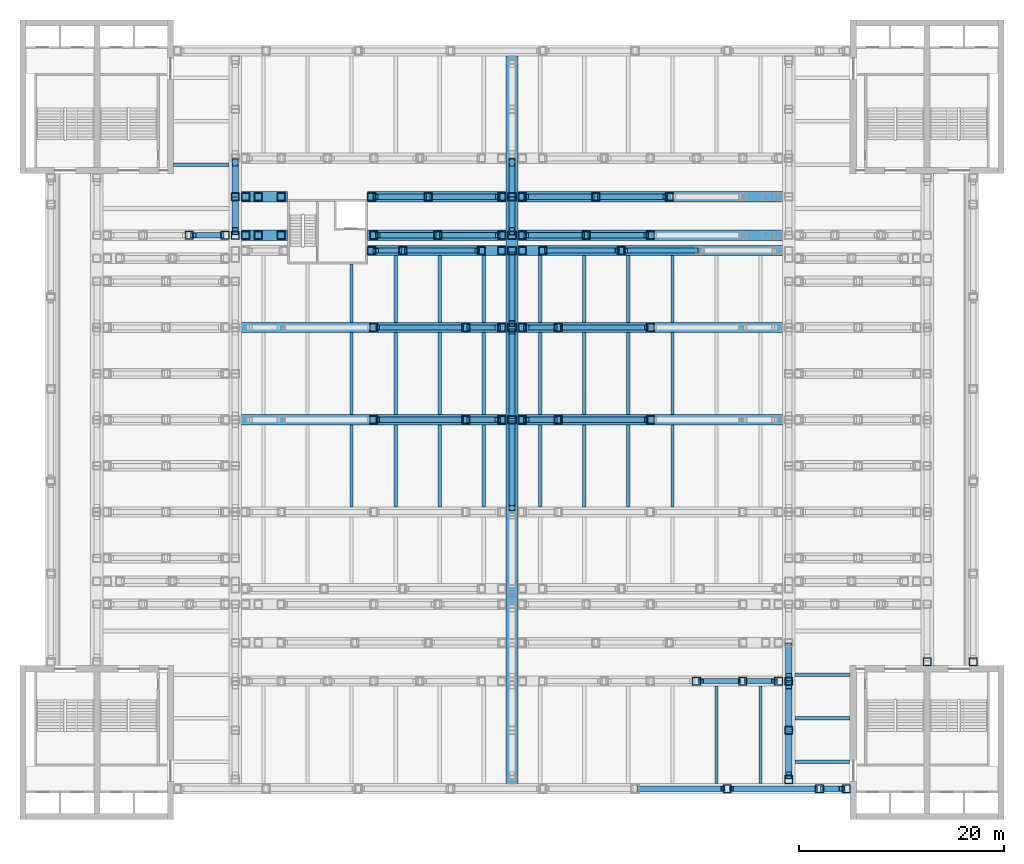
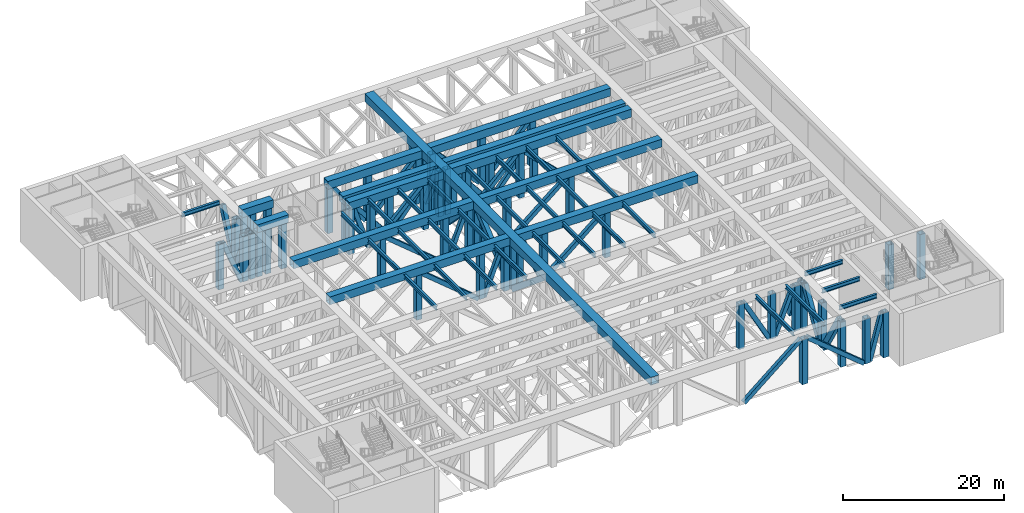
# One storey, part 3 of 20: 106 members, 30 beams.
"""IFC4 building model written with IfcOpenShell, lengths in metres."""

import ifcopenshell
import ifcopenshell.guid

model = None  # the IFC model being written
_history = None  # IfcOwnerHistory: only IFC2X3 demands one
_inside = {}  # id of a spatial element -> (the spatial element, [elements in it])
_under = {}  # id of a project, library or spatial element -> (it, [spatial elements below it])
_declared = {}  # id of a project -> (the project, [libraries it declares])
_typed = {}  # id of a type object -> (the type object, [elements of that type])
_made_of = {}  # id of a material, layer set ... -> (it, [elements and type objects made of it])


def new_model(schema):
    """Start an empty IFC model of exactly this schema.

    Asked for "IFC4X3", IfcOpenShell would pick the latest addendum, in which some entities
    have other attributes; the version numbers below select the first issue.
    IFC2X3 requires an IfcOwnerHistory on every rooted entity: one is made here for all.
    """
    global model, _history
    if schema == "IFC4X3":
        model = ifcopenshell.file(schema_version=(4, 3, 0, 0))
    else:
        model = ifcopenshell.file(schema=schema)
    _inside.clear()
    _under.clear()
    _declared.clear()
    _typed.clear()
    _made_of.clear()
    _history = None
    if model.schema == "IFC2X3":
        org = make("IfcOrganization", Name="unknown")
        user = make(
            "IfcPersonAndOrganization",
            ThePerson=make("IfcPerson", FamilyName="unknown"),
            TheOrganization=org,
        )
        app = make(
            "IfcApplication",
            ApplicationDeveloper=org,
            Version="unknown",
            ApplicationFullName="unknown",
            ApplicationIdentifier="unknown",
        )
        _history = make(
            "IfcOwnerHistory",
            OwningUser=user,
            OwningApplication=app,
            ChangeAction="ADDED",
            CreationDate=0,
        )
    return model


def make(cls, **values):
    """One entity of the class cls with the attributes given. An attribute that is None is left unset."""
    return model.create_entity(
        cls, **{name: value for name, value in values.items() if value is not None}
    )


def rooted(cls, **values):
    """An entity with a GlobalId (a new one), such as an element, a storey or a relation."""
    return make(cls, GlobalId=ifcopenshell.guid.new(), OwnerHistory=_history, **values)


def si_unit(unit_type, name, prefix=None):
    """IfcSIUnit, for example si_unit("LENGTHUNIT", "METRE", prefix="MILLI")."""
    return make("IfcSIUnit", UnitType=unit_type, Prefix=prefix, Name=name)


def assignment(units):
    """IfcUnitAssignment: the units of a project."""
    return None if units is None else make("IfcUnitAssignment", Units=units)


def point(xyz):
    """IfcCartesianPoint."""
    return None if xyz is None else make("IfcCartesianPoint", Coordinates=xyz)


def direction(xyz):
    """IfcDirection."""
    return None if xyz is None else make("IfcDirection", DirectionRatios=xyz)


def frame(location, z_axis=None, x_axis=None):
    """IfcAxis2Placement3D, a coordinate frame: its origin and axes. An axis left out is left unset."""
    return make(
        "IfcAxis2Placement3D",
        Location=point(location),
        Axis=direction(z_axis),
        RefDirection=direction(x_axis),
    )


def frame_2d(location, x_axis=None):
    """IfcAxis2Placement2D, a coordinate frame in the plane: its origin and x axis."""
    return make(
        "IfcAxis2Placement2D", Location=point(location), RefDirection=direction(x_axis)
    )


def origin():
    """The frame at (0, 0, 0) with its axes left unset."""
    return frame((0.0, 0.0, 0.0))


def origin_2d():
    """The frame at (0, 0) in the plane with its x axis left unset."""
    return frame_2d((0.0, 0.0))


def place(relative_to, where):
    """IfcLocalPlacement: puts the frame where relative to a parent placement (None: the world)."""
    return make(
        "IfcLocalPlacement", PlacementRelTo=relative_to, RelativePlacement=where
    )


def context(
    kind, dimensions, precision=None, world=None, true_north=None, identifier=None
):
    """IfcGeometricRepresentationContext, for example the 3D "Model" context."""
    return make(
        "IfcGeometricRepresentationContext",
        ContextIdentifier=identifier,
        ContextType=kind,
        CoordinateSpaceDimension=dimensions,
        Precision=precision,
        WorldCoordinateSystem=world,
        TrueNorth=true_north,
    )


def subcontext(parent, identifier, kind, view, scale=None):
    """IfcGeometricRepresentationSubContext, for example "Body" below "Model"."""
    return make(
        "IfcGeometricRepresentationSubContext",
        ContextIdentifier=identifier,
        ContextType=kind,
        ParentContext=parent,
        TargetScale=scale,
        TargetView=view,
    )


def project(units=None, contexts=None):
    """IfcProject with its units and contexts."""
    return rooted(
        "IfcProject",
        Name="project",
        RepresentationContexts=contexts,
        UnitsInContext=assignment(units),
    )


def spatial(cls, under=None, at=None, **own):
    """A site, building, storey or space (cls), placed at a placement, below another one or the project."""
    s = rooted(cls, ObjectPlacement=at, **own)
    if under is not None:
        _under.setdefault(under.id(), (under, []))[1].append(s)
    return s


def profile(cls, at=None, kind="AREA", **sizes):
    """A parametric profile (cls). Its sizes go by their IFC names, for example OverallWidth=200.0."""
    return make(cls, ProfileType=kind, Position=at, **sizes)


def hollow_rectangle(**sizes):
    """IfcRectangleHollowProfileDef."""
    return profile("IfcRectangleHollowProfileDef", **sizes)


def i_section(**sizes):
    """IfcIShapeProfileDef."""
    return profile("IfcIShapeProfileDef", **sizes)


def extrude(swept, where, along, depth):
    """IfcExtrudedAreaSolid: the profile swept, set in the frame where, extruded along a direction by depth."""
    return make(
        "IfcExtrudedAreaSolid",
        SweptArea=swept,
        Position=where,
        ExtrudedDirection=direction(along),
        Depth=depth,
    )


def shape(context_of_items, identifier, shape_type, items):
    """IfcShapeRepresentation: the items that make up one representation, for example the "Body"."""
    return make(
        "IfcShapeRepresentation",
        ContextOfItems=context_of_items,
        RepresentationIdentifier=identifier,
        RepresentationType=shape_type,
        Items=items,
    )


def material(Name=None, Category=None):
    """IfcMaterial."""
    return make("IfcMaterial", Name=Name, Category=Category)


def material_profile(
    of_material, cross_section, Name=None, Category=None, Priority=None
):
    """IfcMaterialProfile: a cross section and its material."""
    return make(
        "IfcMaterialProfile",
        Name=Name,
        Material=of_material,
        Profile=cross_section,
        Priority=Priority,
        Category=Category,
    )


def profile_set(profiles, Name=None, composite=None):
    """IfcMaterialProfileSet."""
    return make(
        "IfcMaterialProfileSet",
        Name=Name,
        MaterialProfiles=profiles,
        CompositeProfile=composite,
    )


def made_of(thing, what):
    """Note that an element or type object is made of a material, layer set ...; save() writes the relation."""
    if what is not None:
        _made_of.setdefault(what.id(), (what, []))[1].append(thing)
    return thing


def type_object(cls, material=None, **own):
    """A type object (cls), such as IfcWallType, which elements share."""
    return made_of(rooted(cls, **own), material)


def element(
    cls,
    number,
    at=None,
    inside=None,
    cuts=None,
    type_object=None,
    material=None,
    context=None,
    identifier="Body",
    shape_type=None,
    held_by="IfcProductDefinitionShape",
    body=None,
    shapes=None,
    **own,
):
    """One element of the class cls, such as IfcWall. Its Tag is "e" and its number.

    at: its placement. inside: the storey or other place that contains it. cuts: it is an
    opening in that element (IfcRelVoidsElement). A single representation is given by context,
    identifier, shape_type and body (its items); several are given by shapes. held_by: the class
    of the entity that holds the representations. save() writes the other relations.
    """
    e = rooted(cls, Tag="e%d" % number, ObjectPlacement=at, **own)
    if body is not None:
        shapes = [shape(context, identifier, shape_type, body)]
    if shapes is not None:
        e.Representation = make(held_by, Representations=shapes)
    if inside is not None:
        _inside.setdefault(inside.id(), (inside, []))[1].append(e)
    if cuts is not None:
        rooted(
            "IfcRelVoidsElement", RelatingBuildingElement=cuts, RelatedOpeningElement=e
        )
    if type_object is not None:
        _typed.setdefault(type_object.id(), (type_object, []))[1].append(e)
    return made_of(e, material)


def aggregate(whole, parts):
    """IfcRelAggregates: a whole, such as a stair, and the parts it consists of."""
    return rooted("IfcRelAggregates", RelatingObject=whole, RelatedObjects=parts)


def save(model, path):
    """Write the relations noted so far, then the file.

    IfcRelAggregates (storeys below a building ...), IfcRelContainedInSpatialStructure (elements
    in a storey), IfcRelDefinesByType, IfcRelAssociatesMaterial and IfcRelDeclares: one each for
    every whole, place, type object, material and project.
    """
    for whole, parts in _under.values():
        aggregate(whole, parts)
    for where, things in _inside.values():
        rooted(
            "IfcRelContainedInSpatialStructure",
            RelatedElements=things,
            RelatingStructure=where,
        )
    for kind, things in _typed.values():
        rooted("IfcRelDefinesByType", RelatedObjects=things, RelatingType=kind)
    for what, things in _made_of.values():
        rooted("IfcRelAssociatesMaterial", RelatedObjects=things, RelatingMaterial=what)
    for by, libraries in _declared.values():
        rooted("IfcRelDeclares", RelatingContext=by, RelatedDefinitions=libraries)
    model.write(path)


model = new_model("IFC4")

# Units and contexts
model_context = context("Model", 3, precision=1e-05, world=origin(), true_north=direction((0.0, 1.0)))
body_context = subcontext(model_context, "Body", "Model", "MODEL_VIEW")
ifc_project = project(units=[si_unit("LENGTHUNIT", "METRE"), si_unit("AREAUNIT", "SQUARE_METRE"), si_unit("VOLUMEUNIT", "CUBIC_METRE"), si_unit("PLANEANGLEUNIT", "RADIAN"), si_unit("MASSUNIT", "GRAM", prefix="KILO")], contexts=[model_context])

# Site, building, storey
site_placement = place(None, origin())
site = spatial("IfcSite", under=ifc_project, at=site_placement, CompositionType="ELEMENT")
building_placement = place(site_placement, origin())
building = spatial("IfcBuilding", under=site, at=building_placement, Name="Corbelhall Arena Tower", CompositionType="ELEMENT")
storey_placement = place(building_placement, frame((0.0, 0.0, 44.0)))
storey = spatial("IfcBuildingStorey", under=building, at=storey_placement, Name="L06", CompositionType="ELEMENT", Elevation=44.0)

# Beams
ifc_material_1 = material(Name="Steel ASTM A992 Gr50", Category="steel")
ifc_material_profile_1 = material_profile(ifc_material_1, i_section(OverallWidth=0.323974609375, OverallDepth=0.611083984375, WebThickness=0.0126953125, FlangeThickness=0.01904296875, at=origin_2d()))
ifc_profile_set_1 = profile_set([ifc_material_profile_1], Name="Steel ASTM A992 Gr50")
beam_type = type_object("IfcBeamType", Name="PO-BEAM-W24X104", PredefinedType="BEAM", material=ifc_profile_set_1)
beam_1_placement = place(storey_placement, frame((-33.0, 24.875, 7.39453125), z_axis=(1.0, 0.0, 0.0), x_axis=(0.0, 1.0, 0.0)))
element("IfcBeam", 1, at=beam_1_placement, inside=storey, type_object=beam_type, Name="DECK BEAM MID 13.2", PredefinedType="BEAM", context=body_context, shape_type="SweptSolid", body=[
    extrude(i_section(OverallWidth=0.323974609375, OverallDepth=0.611083984375, WebThickness=0.0126953125, FlangeThickness=0.01904296875, at=origin_2d()), origin(), (0.0, 0.0, 1.0), 5.39990234375),
])
for number, where, z_axis, x_axis, name in (
    (2, (-15.64990234375, -8.5, 7.39453125), (0.0, 1.0, 0.0), (-1.0, 0.0, 0.0), "DECK BEAM MID 22.3"),
    (3, (-11.35009765625, -8.5, 7.39453125), (0.0, 1.0, 0.0), (-1.0, 0.0, 0.0), "DECK BEAM MID 22.4"),
    (4, (-7.050048828125, -8.5, 7.39453125), (0.0, 1.0, 0.0), (-1.0, 0.0, 0.0), "DECK BEAM MID 22.5"),
    (5, (-2.75, -8.5, 7.39453125), (0.0, 1.0, 0.0), (-1.0, 0.0, 0.0), "DECK BEAM MID 22.6"),
    (6, (-15.64990234375, 0.5, 7.39453125), (0.0, 1.0, 0.0), (-1.0, 0.0, 0.0), "DECK BEAM MID 23.3"),
    (7, (-11.35009765625, 0.5, 7.39453125), (0.0, 1.0, 0.0), (-1.0, 0.0, 0.0), "DECK BEAM MID 23.4"),
    (8, (-7.050048828125, 0.5, 7.39453125), (0.0, 1.0, 0.0), (-1.0, 0.0, 0.0), "DECK BEAM MID 23.5"),
    (9, (-2.75, 0.5, 7.39453125), (0.0, 1.0, 0.0), (-1.0, 0.0, 0.0), "DECK BEAM MID 23.6"),
):
    element("IfcBeam", number, at=place(storey_placement, frame(where, z_axis=z_axis, x_axis=x_axis)), inside=storey, type_object=beam_type, Name=name, PredefinedType="BEAM", context=body_context, shape_type="SweptSolid", body=[
        extrude(i_section(OverallWidth=0.323974609375, OverallDepth=0.611083984375, WebThickness=0.0126953125, FlangeThickness=0.01904296875, at=origin_2d()), origin(), (0.0, 0.0, 1.0), 8.0),
    ])
beam_2_placement = place(storey_placement, frame((-15.64990234375, 9.5, 7.39453125), z_axis=(0.0, 1.0, 0.0), x_axis=(-1.0, 0.0, 0.0)))
element("IfcBeam", 10, at=beam_2_placement, inside=storey, type_object=beam_type, Name="DECK BEAM MID 25.3", PredefinedType="BEAM", context=body_context, shape_type="SweptSolid", body=[
    extrude(i_section(OverallWidth=0.323974609375, OverallDepth=0.611083984375, WebThickness=0.0126953125, FlangeThickness=0.01904296875, at=origin_2d()), origin(), (0.0, 0.0, 1.0), 5.699951171875),
])
for number, where, z_axis, x_axis, name in (
    (11, (-11.35009765625, 9.5, 7.39453125), (0.0, 1.0, 0.0), (-1.0, 0.0, 0.0), "DECK BEAM MID 25.4"),
    (12, (-7.050048828125, 9.5, 7.39453125), (0.0, 1.0, 0.0), (-1.0, 0.0, 0.0), "DECK BEAM MID 25.5"),
    (13, (-2.75, 9.5, 7.39453125), (0.0, 1.0, 0.0), (-1.0, 0.0, 0.0), "DECK BEAM MID 25.6"),
):
    element("IfcBeam", number, at=place(storey_placement, frame(where, z_axis=z_axis, x_axis=x_axis)), inside=storey, type_object=beam_type, Name=name, PredefinedType="BEAM", context=body_context, shape_type="SweptSolid", body=[
        extrude(i_section(OverallWidth=0.323974609375, OverallDepth=0.611083984375, WebThickness=0.0126953125, FlangeThickness=0.01904296875, at=origin_2d()), origin(), (0.0, 0.0, 1.0), 6.5),
    ])
for number, where, z_axis, x_axis, name in (
    (14, (19.949951171875, -35.5, 7.39453125), (0.0, 1.0, 0.0), (-1.0, 0.0, 0.0), "DECK BEAM MID 28.5"),
    (15, (24.25, -35.5, 7.39453125), (0.0, 1.0, 0.0), (-1.0, 0.0, 0.0), "DECK BEAM MID 28.6"),
):
    element("IfcBeam", number, at=place(storey_placement, frame(where, z_axis=z_axis, x_axis=x_axis)), inside=storey, type_object=beam_type, Name=name, PredefinedType="BEAM", context=body_context, shape_type="SweptSolid", body=[
        extrude(i_section(OverallWidth=0.323974609375, OverallDepth=0.611083984375, WebThickness=0.0126953125, FlangeThickness=0.01904296875, at=origin_2d()), origin(), (0.0, 0.0, 1.0), 9.5),
    ])
for number, where, z_axis, x_axis, name in (
    (16, (2.75, -8.5, 7.39453125), (0.0, 1.0, 0.0), (-1.0, 0.0, 0.0), "DECK BEAM MID 33.1"),
    (17, (7.050048828125, -8.5, 7.39453125), (0.0, 1.0, 0.0), (-1.0, 0.0, 0.0), "DECK BEAM MID 33.2"),
    (18, (11.35009765625, -8.5, 7.39453125), (0.0, 1.0, 0.0), (-1.0, 0.0, 0.0), "DECK BEAM MID 33.3"),
    (19, (15.64990234375, -8.5, 7.39453125), (0.0, 1.0, 0.0), (-1.0, 0.0, 0.0), "DECK BEAM MID 33.4"),
    (20, (2.75, 0.5, 7.39453125), (0.0, 1.0, 0.0), (-1.0, 0.0, 0.0), "DECK BEAM MID 34.1"),
    (21, (7.050048828125, 0.5, 7.39453125), (0.0, 1.0, 0.0), (-1.0, 0.0, 0.0), "DECK BEAM MID 34.2"),
    (22, (11.35009765625, 0.5, 7.39453125), (0.0, 1.0, 0.0), (-1.0, 0.0, 0.0), "DECK BEAM MID 34.3"),
    (23, (15.64990234375, 0.5, 7.39453125), (0.0, 1.0, 0.0), (-1.0, 0.0, 0.0), "DECK BEAM MID 34.4"),
):
    element("IfcBeam", number, at=place(storey_placement, frame(where, z_axis=z_axis, x_axis=x_axis)), inside=storey, type_object=beam_type, Name=name, PredefinedType="BEAM", context=body_context, shape_type="SweptSolid", body=[
        extrude(i_section(OverallWidth=0.323974609375, OverallDepth=0.611083984375, WebThickness=0.0126953125, FlangeThickness=0.01904296875, at=origin_2d()), origin(), (0.0, 0.0, 1.0), 8.0),
    ])
for number, where, z_axis, x_axis, name in (
    (24, (2.75, 9.5, 7.39453125), (0.0, 1.0, 0.0), (-1.0, 0.0, 0.0), "DECK BEAM MID 35.1"),
    (25, (7.050048828125, 9.5, 7.39453125), (0.0, 1.0, 0.0), (-1.0, 0.0, 0.0), "DECK BEAM MID 35.2"),
    (26, (11.35009765625, 9.5, 7.39453125), (0.0, 1.0, 0.0), (-1.0, 0.0, 0.0), "DECK BEAM MID 35.3"),
    (27, (15.64990234375, 9.5, 7.39453125), (0.0, 1.0, 0.0), (-1.0, 0.0, 0.0), "DECK BEAM MID 35.4"),
):
    element("IfcBeam", number, at=place(storey_placement, frame(where, z_axis=z_axis, x_axis=x_axis)), inside=storey, type_object=beam_type, Name=name, PredefinedType="BEAM", context=body_context, shape_type="SweptSolid", body=[
        extrude(i_section(OverallWidth=0.323974609375, OverallDepth=0.611083984375, WebThickness=0.0126953125, FlangeThickness=0.01904296875, at=origin_2d()), origin(), (0.0, 0.0, 1.0), 6.5),
    ])
for number, where, z_axis, x_axis, name in (
    (28, (27.60009765625, -33.375, 7.39453125), (1.0, 0.0, 0.0), (0.0, 1.0, 0.0), "DECK BEAM MID 40.1"),
    (29, (27.60009765625, -29.125, 7.39453125), (1.0, 0.0, 0.0), (0.0, 1.0, 0.0), "DECK BEAM MID 40.2"),
    (30, (27.60009765625, -24.875, 7.39453125), (1.0, 0.0, 0.0), (0.0, 1.0, 0.0), "DECK BEAM MID 40.3"),
):
    element("IfcBeam", number, at=place(storey_placement, frame(where, z_axis=z_axis, x_axis=x_axis)), inside=storey, type_object=beam_type, Name=name, PredefinedType="BEAM", context=body_context, shape_type="SweptSolid", body=[
        extrude(i_section(OverallWidth=0.323974609375, OverallDepth=0.611083984375, WebThickness=0.0126953125, FlangeThickness=0.01904296875, at=origin_2d()), origin(), (0.0, 0.0, 1.0), 5.39990234375),
    ])

# Members
ifc_material_2 = material(Name="Steel ASTM A572 Gr50", Category="steel")
ifc_material_profile_2 = material_profile(ifc_material_2, hollow_rectangle(XDim=0.5, YDim=0.60009765625, WallThickness=0.030029296875, at=origin_2d()))
ifc_profile_set_2 = profile_set([ifc_material_profile_2], Name="Steel ASTM A572 Gr50")
member_type_1 = type_object("IfcMemberType", Name="PO-BRACE-600X500X30", PredefinedType="BRACE", material=ifc_profile_set_2)
for number, where, z_axis, x_axis, name in (
    (31, (12.39990234375, -36.0, 0.0), (0.769763178873, 0.0, 0.638329576669), (0.0, 1.0, 0.0), "TRUSS EDGE-S BRACE 1.6"),
    (32, (21.39990234375, -36.0, 6.800048828125), (0.769763178873, 0.0, -0.638329576669), (0.0, 1.0, 0.0), "TRUSS EDGE-S BRACE 1.7"),
):
    element("IfcMember", number, at=place(storey_placement, frame(where, z_axis=z_axis, x_axis=x_axis)), inside=storey, type_object=member_type_1, Name=name, PredefinedType="BRACE", context=body_context, shape_type="SweptSolid", body=[
        extrude(hollow_rectangle(XDim=0.5, YDim=0.60009765625, WallThickness=0.030029296875, at=origin_2d()), origin(), (0.0, 0.0, 1.0), 10.65283203125),
    ])
member_1_placement = place(storey_placement, frame((30.39990234375, -36.0, 0.0), z_axis=(0.255897330119, 0.0, 0.966703965254), x_axis=(0.0, 1.0, 0.0)))
element("IfcMember", 33, at=member_1_placement, inside=storey, type_object=member_type_1, Name="TRUSS EDGE-S BRACE 1.8", PredefinedType="BRACE", context=body_context, shape_type="SweptSolid", body=[
    extrude(hollow_rectangle(XDim=0.5, YDim=0.60009765625, WallThickness=0.030029296875, at=origin_2d()), origin(), (0.0, 0.0, 1.0), 7.0341796875),
])
member_2_placement = place(storey_placement, frame((18.39990234375, -25.5, 6.800048828125), z_axis=(0.477963647565, 0.0, -0.878379617026), x_axis=(0.0, 1.0, 0.0)))
element("IfcMember", 34, at=member_2_placement, inside=storey, type_object=member_type_1, Name="TRUSS SEC-S25.50-2 BRACE 1.5", PredefinedType="BRACE", context=body_context, shape_type="SweptSolid", body=[
    extrude(hollow_rectangle(XDim=0.5, YDim=0.60009765625, WallThickness=0.030029296875, at=origin_2d()), origin(), (0.0, 0.0, 1.0), 7.74169921875),
])
member_3_placement = place(storey_placement, frame((22.89990234375, -25.5, 0.0), z_axis=(0.369053718093, 0.0, 0.929408066008), x_axis=(0.0, 1.0, 0.0)))
element("IfcMember", 35, at=member_3_placement, inside=storey, type_object=member_type_1, Name="TRUSS SEC-S25.50-2 BRACE 1.6", PredefinedType="BRACE", context=body_context, shape_type="SweptSolid", body=[
    extrude(hollow_rectangle(XDim=0.5, YDim=0.60009765625, WallThickness=0.030029296875, at=origin_2d()), origin(), (0.0, 0.0, 1.0), 7.316650390625),
])
member_4_placement = place(storey_placement, frame((-13.10009765625, 0.0, 6.800048828125), z_axis=(0.769763178873, 0.0, -0.638329576669), x_axis=(0.0, 1.0, 0.0)))
element("IfcMember", 36, at=member_4_placement, inside=storey, type_object=member_type_1, Name="TRUSS SEC-N00.00-1 BRACE 1.3", PredefinedType="BRACE", context=body_context, shape_type="SweptSolid", body=[
    extrude(hollow_rectangle(XDim=0.5, YDim=0.60009765625, WallThickness=0.030029296875, at=origin_2d()), origin(), (0.0, 0.0, 1.0), 10.65283203125),
])
for number, where, z_axis, x_axis, name in (
    (37, (-4.10009765625, 0.0, 0.0), (0.369053718093, 0.0, 0.929408066008), (0.0, 1.0, 0.0), "TRUSS SEC-N00.00-1 BRACE 1.4"),
    (38, (1.39990234375, 0.0, 6.800048828125), (0.369053718093, 0.0, -0.929408066008), (0.0, 1.0, 0.0), "TRUSS SEC-N00.00-2 BRACE 1.1"),
):
    element("IfcMember", number, at=place(storey_placement, frame(where, z_axis=z_axis, x_axis=x_axis)), inside=storey, type_object=member_type_1, Name=name, PredefinedType="BRACE", context=body_context, shape_type="SweptSolid", body=[
        extrude(hollow_rectangle(XDim=0.5, YDim=0.60009765625, WallThickness=0.030029296875, at=origin_2d()), origin(), (0.0, 0.0, 1.0), 7.316650390625),
    ])
for number, where, z_axis, x_axis, name in (
    (39, (4.89990234375, 0.0, 0.0), (0.769763178873, 0.0, 0.638329576669), (0.0, 1.0, 0.0), "TRUSS SEC-N00.00-2 BRACE 1.2"),
    (40, (-13.10009765625, 9.0, 6.800048828125), (0.769763178873, 0.0, -0.638329576669), (0.0, 1.0, 0.0), "TRUSS SEC-N09.00-1 BRACE 1.3"),
):
    element("IfcMember", number, at=place(storey_placement, frame(where, z_axis=z_axis, x_axis=x_axis)), inside=storey, type_object=member_type_1, Name=name, PredefinedType="BRACE", context=body_context, shape_type="SweptSolid", body=[
        extrude(hollow_rectangle(XDim=0.5, YDim=0.60009765625, WallThickness=0.030029296875, at=origin_2d()), origin(), (0.0, 0.0, 1.0), 10.65283203125),
    ])
for number, where, z_axis, x_axis, name in (
    (41, (-4.10009765625, 9.0, 0.0), (0.369053718093, 0.0, 0.929408066008), (0.0, 1.0, 0.0), "TRUSS SEC-N09.00-1 BRACE 1.4"),
    (42, (1.39990234375, 9.0, 6.800048828125), (0.369053718093, 0.0, -0.929408066008), (0.0, 1.0, 0.0), "TRUSS SEC-N09.00-2 BRACE 1.1"),
):
    element("IfcMember", number, at=place(storey_placement, frame(where, z_axis=z_axis, x_axis=x_axis)), inside=storey, type_object=member_type_1, Name=name, PredefinedType="BRACE", context=body_context, shape_type="SweptSolid", body=[
        extrude(hollow_rectangle(XDim=0.5, YDim=0.60009765625, WallThickness=0.030029296875, at=origin_2d()), origin(), (0.0, 0.0, 1.0), 7.316650390625),
    ])
member_5_placement = place(storey_placement, frame((4.89990234375, 9.0, 0.0), z_axis=(0.769763178873, 0.0, 0.638329576669), x_axis=(0.0, 1.0, 0.0)))
element("IfcMember", 43, at=member_5_placement, inside=storey, type_object=member_type_1, Name="TRUSS SEC-N09.00-2 BRACE 1.2", PredefinedType="BRACE", context=body_context, shape_type="SweptSolid", body=[
    extrude(hollow_rectangle(XDim=0.5, YDim=0.60009765625, WallThickness=0.030029296875, at=origin_2d()), origin(), (0.0, 0.0, 1.0), 10.65283203125),
])
member_6_placement = place(storey_placement, frame((-13.300048828125, 16.5, 6.800048828125), z_axis=(0.312039376895, 0.0, -0.950069169728), x_axis=(0.0, 1.0, 0.0)))
element("IfcMember", 44, at=member_6_placement, inside=storey, type_object=member_type_1, Name="TRUSS SEC-N16.50-1E BRACE 1.1", PredefinedType="BRACE", context=body_context, shape_type="SweptSolid", body=[
    extrude(hollow_rectangle(XDim=0.5, YDim=0.60009765625, WallThickness=0.030029296875, at=origin_2d()), origin(), (0.0, 0.0, 1.0), 7.157470703125),
])
for number, where, z_axis, x_axis, name in (
    (45, (-10.2666015625, 16.5, 0.0), (0.71054677033, 0.0, 0.703649974898), (0.0, 1.0, 0.0), "TRUSS SEC-N16.50-1E BRACE 1.2"),
    (46, (3.39990234375, 16.5, 0.0), (0.71054677033, 0.0, 0.703649974898), (0.0, 1.0, 0.0), "TRUSS SEC-N16.50-2 BRACE 1.2"),
    (47, (11.066650390625, 16.5, 6.800048828125), (0.71054677033, 0.0, -0.703649974898), (0.0, 1.0, 0.0), "TRUSS SEC-N16.50-2 BRACE 1.3"),
):
    element("IfcMember", number, at=place(storey_placement, frame(where, z_axis=z_axis, x_axis=x_axis)), inside=storey, type_object=member_type_1, Name=name, PredefinedType="BRACE", context=body_context, shape_type="SweptSolid", body=[
        extrude(hollow_rectangle(XDim=0.5, YDim=0.60009765625, WallThickness=0.030029296875, at=origin_2d()), origin(), (0.0, 0.0, 1.0), 9.6640625),
    ])
member_7_placement = place(storey_placement, frame((-31.10009765625, 18.0, 6.800048828125), z_axis=(0.369053718093, 0.0, -0.929408066008), x_axis=(0.0, 1.0, 0.0)))
element("IfcMember", 48, at=member_7_placement, inside=storey, type_object=member_type_1, Name="TRUSS SEC-N18.00-0 BRACE 1.3", PredefinedType="BRACE", context=body_context, shape_type="SweptSolid", body=[
    extrude(hollow_rectangle(XDim=0.5, YDim=0.60009765625, WallThickness=0.030029296875, at=origin_2d()), origin(), (0.0, 0.0, 1.0), 7.316650390625),
])
for number, where, z_axis, x_axis, name in (
    (49, (-13.10009765625, 18.0, 6.800048828125), (0.625405411621, 0.0, -0.780299987899), (0.0, 1.0, 0.0), "TRUSS SEC-N18.00-1E BRACE 1.1"),
    (50, (-6.85009765625, 18.0, 0.0), (0.625405411621, 0.0, 0.780299987899), (0.0, 1.0, 0.0), "TRUSS SEC-N18.00-1E BRACE 1.2"),
    (51, (1.39990234375, 18.0, 6.800048828125), (0.625405411621, 0.0, -0.780299987899), (0.0, 1.0, 0.0), "TRUSS SEC-N18.00-2 BRACE 1.1"),
    (52, (7.64990234375, 18.0, 0.0), (0.625405411621, 0.0, 0.780299987899), (0.0, 1.0, 0.0), "TRUSS SEC-N18.00-2 BRACE 1.2"),
):
    element("IfcMember", number, at=place(storey_placement, frame(where, z_axis=z_axis, x_axis=x_axis)), inside=storey, type_object=member_type_1, Name=name, PredefinedType="BRACE", context=body_context, shape_type="SweptSolid", body=[
        extrude(hollow_rectangle(XDim=0.5, YDim=0.60009765625, WallThickness=0.030029296875, at=origin_2d()), origin(), (0.0, 0.0, 1.0), 8.714599609375),
    ])
member_8_placement = place(storey_placement, frame((-13.300048828125, 21.75, 6.800048828125), z_axis=(0.571302751259, 0.0, -0.820739402249), x_axis=(0.0, 1.0, 0.0)))
element("IfcMember", 53, at=member_8_placement, inside=storey, type_object=member_type_1, Name="TRUSS SEC-N21.75-1E BRACE 1.1", PredefinedType="BRACE", context=body_context, shape_type="SweptSolid", body=[
    extrude(hollow_rectangle(XDim=0.5, YDim=0.60009765625, WallThickness=0.030029296875, at=origin_2d()), origin(), (0.0, 0.0, 1.0), 8.28515625),
])
for number, where, z_axis, x_axis, name in (
    (54, (-7.7666015625, 21.75, 0.0), (0.683464108742, 0.0, 0.729984117677), (0.0, 1.0, 0.0), "TRUSS SEC-N21.75-1E BRACE 1.2"),
    (55, (1.39990234375, 21.75, 6.800048828125), (0.683464108742, 0.0, -0.729984117677), (0.0, 1.0, 0.0), "TRUSS SEC-N21.75-2 BRACE 1.1"),
    (56, (8.566650390625, 21.75, 0.0), (0.683464108742, 0.0, 0.729984117677), (0.0, 1.0, 0.0), "TRUSS SEC-N21.75-2 BRACE 1.2"),
):
    element("IfcMember", number, at=place(storey_placement, frame(where, z_axis=z_axis, x_axis=x_axis)), inside=storey, type_object=member_type_1, Name=name, PredefinedType="BRACE", context=body_context, shape_type="SweptSolid", body=[
        extrude(hollow_rectangle(XDim=0.5, YDim=0.60009765625, WallThickness=0.030029296875, at=origin_2d()), origin(), (0.0, 0.0, 1.0), 9.3154296875),
    ])
ifc_material_profile_3 = material_profile(ifc_material_2, hollow_rectangle(XDim=0.60009765625, YDim=0.800048828125, WallThickness=0.0400390625, at=origin_2d()))
ifc_profile_set_3 = profile_set([ifc_material_profile_3], Name="Steel ASTM A572 Gr50")
member_type_2 = type_object("IfcMemberType", Name="PO-BRACE-800X600X40", PredefinedType="BRACE", material=ifc_profile_set_3)
for number, where, z_axis, x_axis, name in (
    (57, (-27.0, 18.39990234375, 6.800048828125), (0.0, 0.398005781953, -0.917382906715), (-1.0, 0.0, 0.0), "TRUSS PRI--27.0 BRACE 1.17"),
    (58, (-27.0, 22.14990234375, 0.0), (0.0, 0.398005781953, 0.917382906715), (-1.0, 0.0, 0.0), "TRUSS PRI--27.0 BRACE 1.18"),
):
    element("IfcMember", number, at=place(storey_placement, frame(where, z_axis=z_axis, x_axis=x_axis)), inside=storey, type_object=member_type_2, Name=name, PredefinedType="BRACE", context=body_context, shape_type="SweptSolid", body=[
        extrude(hollow_rectangle(XDim=0.60009765625, YDim=0.800048828125, WallThickness=0.0400390625, at=origin_2d()), origin(), (0.0, 0.0, 1.0), 7.412353515625),
    ])
for number, where, z_axis, x_axis, name in (
    (59, (0.0, -8.60009765625, 6.800048828125), (0.0, 0.769763178873, -0.638329576669), (-1.0, 0.0, 0.0), "TRUSS PRI-+0.0 BRACE 1.7"),
    (60, (0.0, 0.39990234375, 0.0), (0.0, 0.769763178873, 0.638329576669), (-1.0, 0.0, 0.0), "TRUSS PRI-+0.0 BRACE 1.8"),
):
    element("IfcMember", number, at=place(storey_placement, frame(where, z_axis=z_axis, x_axis=x_axis)), inside=storey, type_object=member_type_2, Name=name, PredefinedType="BRACE", context=body_context, shape_type="SweptSolid", body=[
        extrude(hollow_rectangle(XDim=0.60009765625, YDim=0.800048828125, WallThickness=0.0400390625, at=origin_2d()), origin(), (0.0, 0.0, 1.0), 10.65283203125),
    ])
member_9_placement = place(storey_placement, frame((0.0, 9.39990234375, 6.800048828125), z_axis=(0.0, 0.701857522338, -0.712317357881), x_axis=(-1.0, 0.0, 0.0)))
element("IfcMember", 61, at=member_9_placement, inside=storey, type_object=member_type_2, Name="TRUSS PRI-+0.0 BRACE 1.9", PredefinedType="BRACE", context=body_context, shape_type="SweptSolid", body=[
    extrude(hollow_rectangle(XDim=0.60009765625, YDim=0.800048828125, WallThickness=0.0400390625, at=origin_2d()), origin(), (0.0, 0.0, 1.0), 9.54638671875),
])
for number, where, z_axis, x_axis, name in (
    (62, (0.0, 18.39990234375, 6.800048828125), (0.0, 0.398005781953, -0.917382906715), (-1.0, 0.0, 0.0), "TRUSS PRI-+0.0 BRACE 1.11"),
    (63, (0.0, 22.14990234375, 0.0), (0.0, 0.398005781953, 0.917382906715), (-1.0, 0.0, 0.0), "TRUSS PRI-+0.0 BRACE 1.12"),
):
    element("IfcMember", number, at=place(storey_placement, frame(where, z_axis=z_axis, x_axis=x_axis)), inside=storey, type_object=member_type_2, Name=name, PredefinedType="BRACE", context=body_context, shape_type="SweptSolid", body=[
        extrude(hollow_rectangle(XDim=0.60009765625, YDim=0.800048828125, WallThickness=0.0400390625, at=origin_2d()), origin(), (0.0, 0.0, 1.0), 7.412353515625),
    ])
for number, where, z_axis, x_axis, name in (
    (64, (27.0, -34.699951171875, 6.800048828125), (0.0, 0.507017421779, -0.861935806202), (-1.0, 0.0, 0.0), "TRUSS PRI-+27.0 BRACE 1.1"),
    (65, (27.0, -29.89990234375, 0.0), (0.0, 0.507017421779, 0.861935806202), (-1.0, 0.0, 0.0), "TRUSS PRI-+27.0 BRACE 1.2"),
):
    element("IfcMember", number, at=place(storey_placement, frame(where, z_axis=z_axis, x_axis=x_axis)), inside=storey, type_object=member_type_2, Name=name, PredefinedType="BRACE", context=body_context, shape_type="SweptSolid", body=[
        extrude(hollow_rectangle(XDim=0.60009765625, YDim=0.800048828125, WallThickness=0.0400390625, at=origin_2d()), origin(), (0.0, 0.0, 1.0), 7.88916015625),
    ])
member_10_placement = place(storey_placement, frame((27.0, -25.10009765625, 6.800048828125), z_axis=(0.0, 0.398005781953, -0.917382906715), x_axis=(-1.0, 0.0, 0.0)))
element("IfcMember", 66, at=member_10_placement, inside=storey, type_object=member_type_2, Name="TRUSS PRI-+27.0 BRACE 1.3", PredefinedType="BRACE", context=body_context, shape_type="SweptSolid", body=[
    extrude(hollow_rectangle(XDim=0.60009765625, YDim=0.800048828125, WallThickness=0.0400390625, at=origin_2d()), origin(), (0.0, 0.0, 1.0), 7.412353515625),
])
ifc_material_profile_4 = material_profile(ifc_material_2, hollow_rectangle(XDim=1.0, YDim=1.199951171875, WallThickness=0.06005859375, at=origin_2d()))
ifc_profile_set_4 = profile_set([ifc_material_profile_4], Name="Steel ASTM A572 Gr50")
member_type_3 = type_object("IfcMemberType", Name="PO-CHORD-1200X1000X60", PredefinedType="CHORD", material=ifc_profile_set_4)
for number, where, z_axis, x_axis, name in (
    (67, (-26.39990234375, 0.0, 7.39990234375), (1.0, 0.0, 0.0), (0.0, 1.0, 0.0), "TRUSS SEC-N00.00-1 MID CHORD"),
    (68, (0.60009765625, 0.0, 7.39990234375), (1.0, 0.0, 0.0), (0.0, 1.0, 0.0), "TRUSS SEC-N00.00-2 MID CHORD"),
    (69, (-26.39990234375, 9.0, 7.39990234375), (1.0, 0.0, 0.0), (0.0, 1.0, 0.0), "TRUSS SEC-N09.00-1 MID CHORD"),
    (70, (0.60009765625, 9.0, 7.39990234375), (1.0, 0.0, 0.0), (0.0, 1.0, 0.0), "TRUSS SEC-N09.00-2 MID CHORD"),
):
    element("IfcMember", number, at=place(storey_placement, frame(where, z_axis=z_axis, x_axis=x_axis)), inside=storey, type_object=member_type_3, Name=name, PredefinedType="CHORD", context=body_context, shape_type="SweptSolid", body=[
        extrude(hollow_rectangle(XDim=1.0, YDim=1.199951171875, WallThickness=0.06005859375, at=origin_2d()), origin(), (0.0, 0.0, 1.0), 25.7998046875),
    ])
member_11_placement = place(storey_placement, frame((-14.10009765625, 16.5, 7.39990234375), z_axis=(1.0, 0.0, 0.0), x_axis=(0.0, 1.0, 0.0)))
element("IfcMember", 71, at=member_11_placement, inside=storey, type_object=member_type_3, Name="TRUSS SEC-N16.50-1E MID CHORD", PredefinedType="CHORD", context=body_context, shape_type="SweptSolid", body=[
    extrude(hollow_rectangle(XDim=1.0, YDim=1.199951171875, WallThickness=0.06005859375, at=origin_2d()), origin(), (0.0, 0.0, 1.0), 13.5),
])
member_12_placement = place(storey_placement, frame((0.60009765625, 16.5, 7.39990234375), z_axis=(1.0, 0.0, 0.0), x_axis=(0.0, 1.0, 0.0)))
element("IfcMember", 72, at=member_12_placement, inside=storey, type_object=member_type_3, Name="TRUSS SEC-N16.50-2 MID CHORD", PredefinedType="CHORD", context=body_context, shape_type="SweptSolid", body=[
    extrude(hollow_rectangle(XDim=1.0, YDim=1.199951171875, WallThickness=0.06005859375, at=origin_2d()), origin(), (0.0, 0.0, 1.0), 25.7998046875),
])
member_13_placement = place(storey_placement, frame((-26.39990234375, 18.0, 7.39990234375), z_axis=(1.0, 0.0, 0.0), x_axis=(0.0, 1.0, 0.0)))
element("IfcMember", 73, at=member_13_placement, inside=storey, type_object=member_type_3, Name="TRUSS SEC-N18.00-1W MID CHORD", PredefinedType="CHORD", context=body_context, shape_type="SweptSolid", body=[
    extrude(hollow_rectangle(XDim=1.0, YDim=1.199951171875, WallThickness=0.06005859375, at=origin_2d()), origin(), (0.0, 0.0, 1.0), 4.5),
])
member_14_placement = place(storey_placement, frame((-14.10009765625, 18.0, 7.39990234375), z_axis=(1.0, 0.0, 0.0), x_axis=(0.0, 1.0, 0.0)))
element("IfcMember", 74, at=member_14_placement, inside=storey, type_object=member_type_3, Name="TRUSS SEC-N18.00-1E MID CHORD", PredefinedType="CHORD", context=body_context, shape_type="SweptSolid", body=[
    extrude(hollow_rectangle(XDim=1.0, YDim=1.199951171875, WallThickness=0.06005859375, at=origin_2d()), origin(), (0.0, 0.0, 1.0), 13.5),
])
member_15_placement = place(storey_placement, frame((0.60009765625, 18.0, 7.39990234375), z_axis=(1.0, 0.0, 0.0), x_axis=(0.0, 1.0, 0.0)))
element("IfcMember", 75, at=member_15_placement, inside=storey, type_object=member_type_3, Name="TRUSS SEC-N18.00-2 MID CHORD", PredefinedType="CHORD", context=body_context, shape_type="SweptSolid", body=[
    extrude(hollow_rectangle(XDim=1.0, YDim=1.199951171875, WallThickness=0.06005859375, at=origin_2d()), origin(), (0.0, 0.0, 1.0), 25.7998046875),
])
member_16_placement = place(storey_placement, frame((-26.39990234375, 21.75, 7.39990234375), z_axis=(1.0, 0.0, 0.0), x_axis=(0.0, 1.0, 0.0)))
element("IfcMember", 76, at=member_16_placement, inside=storey, type_object=member_type_3, Name="TRUSS SEC-N21.75-1W MID CHORD", PredefinedType="CHORD", context=body_context, shape_type="SweptSolid", body=[
    extrude(hollow_rectangle(XDim=1.0, YDim=1.199951171875, WallThickness=0.06005859375, at=origin_2d()), origin(), (0.0, 0.0, 1.0), 4.5),
])
member_17_placement = place(storey_placement, frame((-14.10009765625, 21.75, 7.39990234375), z_axis=(1.0, 0.0, 0.0), x_axis=(0.0, 1.0, 0.0)))
element("IfcMember", 77, at=member_17_placement, inside=storey, type_object=member_type_3, Name="TRUSS SEC-N21.75-1E MID CHORD", PredefinedType="CHORD", context=body_context, shape_type="SweptSolid", body=[
    extrude(hollow_rectangle(XDim=1.0, YDim=1.199951171875, WallThickness=0.06005859375, at=origin_2d()), origin(), (0.0, 0.0, 1.0), 13.5),
])
member_18_placement = place(storey_placement, frame((0.60009765625, 21.75, 7.39990234375), z_axis=(1.0, 0.0, 0.0), x_axis=(0.0, 1.0, 0.0)))
element("IfcMember", 78, at=member_18_placement, inside=storey, type_object=member_type_3, Name="TRUSS SEC-N21.75-2 MID CHORD", PredefinedType="CHORD", context=body_context, shape_type="SweptSolid", body=[
    extrude(hollow_rectangle(XDim=1.0, YDim=1.199951171875, WallThickness=0.06005859375, at=origin_2d()), origin(), (0.0, 0.0, 1.0), 25.7998046875),
])
ifc_material_profile_5 = material_profile(ifc_material_2, hollow_rectangle(XDim=1.199951171875, YDim=1.199951171875, WallThickness=0.080078125, at=origin_2d()))
ifc_profile_set_5 = profile_set([ifc_material_profile_5], Name="Steel ASTM A572 Gr50")
member_type_4 = type_object("IfcMemberType", Name="PO-CHORD-1200X1200X80", PredefinedType="CHORD", material=ifc_profile_set_5)
member_19_placement = place(storey_placement, frame((0.0, -35.5, 7.39990234375), z_axis=(0.0, 1.0, 0.0), x_axis=(-1.0, 0.0, 0.0)))
element("IfcMember", 79, at=member_19_placement, inside=storey, type_object=member_type_4, Name="TRUSS PRI-+0.0 MID CHORD", PredefinedType="CHORD", context=body_context, shape_type="SweptSolid", body=[
    extrude(hollow_rectangle(XDim=1.199951171875, YDim=1.199951171875, WallThickness=0.080078125, at=origin_2d()), origin(), (0.0, 0.0, 1.0), 71.0),
])
ifc_material_profile_6 = material_profile(ifc_material_2, hollow_rectangle(XDim=0.800048828125, YDim=0.800048828125, WallThickness=0.050048828125, at=origin_2d()))
ifc_profile_set_6 = profile_set([ifc_material_profile_6], Name="Steel ASTM A572 Gr50")
member_type_5 = type_object("IfcMemberType", Name="PO-POST-800", PredefinedType="POST", material=ifc_profile_set_6)
for number, where, z_axis, x_axis, name in (
    (80, (21.0, -36.0, 0.0), (0.0, 0.0, 1.0), (1.0, 0.0, 0.0), "TRUSS EDGE-S POST 1.7"),
    (81, (30.0, -36.0, 0.0), (0.0, 0.0, 1.0), (1.0, 0.0, 0.0), "TRUSS EDGE-S POST 1.8"),
    (82, (32.60009765625, -36.0, 0.0), (0.0, 0.0, 1.0), (1.0, 0.0, 0.0), "TRUSS EDGE-S POST 1.9"),
    (83, (45.0, -23.60009765625, 0.0), (0.0, 0.0, 1.0), (1.0, 0.0, 0.0), "TRUSS EDGE-E POST 1.1"),
    (84, (18.0, -25.5, 0.0), (0.0, 0.0, 1.0), (1.0, 0.0, 0.0), "TRUSS SEC-S25.50-2 POST 1.5"),
    (85, (22.5, -25.5, 0.0), (0.0, 0.0, 1.0), (1.0, 0.0, 0.0), "TRUSS SEC-S25.50-2 POST 1.6"),
    (86, (26.0, -25.5, 0.0), (0.0, 0.0, 1.0), (1.0, 0.0, 0.0), "TRUSS SEC-S25.50-2 POST 1.7"),
    (87, (-13.5, 0.0, 0.0), (0.0, 0.0, 1.0), (1.0, 0.0, 0.0), "TRUSS SEC-N00.00-1 POST 1.3"),
    (88, (-4.5, 0.0, 0.0), (0.0, 0.0, 1.0), (1.0, 0.0, 0.0), "TRUSS SEC-N00.00-1 POST 1.4"),
    (89, (-1.0, 0.0, 0.0), (0.0, 0.0, 1.0), (1.0, 0.0, 0.0), "TRUSS SEC-N00.00-1 POST 1.5"),
    (90, (1.0, 0.0, 0.0), (0.0, 0.0, 1.0), (1.0, 0.0, 0.0), "TRUSS SEC-N00.00-2 POST 1.1"),
    (91, (4.5, 0.0, 0.0), (0.0, 0.0, 1.0), (1.0, 0.0, 0.0), "TRUSS SEC-N00.00-2 POST 1.2"),
    (92, (13.5, 0.0, 0.0), (0.0, 0.0, 1.0), (1.0, 0.0, 0.0), "TRUSS SEC-N00.00-2 POST 1.3"),
    (93, (-13.5, 9.0, 0.0), (0.0, 0.0, 1.0), (1.0, 0.0, 0.0), "TRUSS SEC-N09.00-1 POST 1.3"),
    (94, (-4.5, 9.0, 0.0), (0.0, 0.0, 1.0), (1.0, 0.0, 0.0), "TRUSS SEC-N09.00-1 POST 1.4"),
    (95, (-1.0, 9.0, 0.0), (0.0, 0.0, 1.0), (1.0, 0.0, 0.0), "TRUSS SEC-N09.00-1 POST 1.5"),
    (96, (1.0, 9.0, 0.0), (0.0, 0.0, 1.0), (1.0, 0.0, 0.0), "TRUSS SEC-N09.00-2 POST 1.1"),
    (97, (4.5, 9.0, 0.0), (0.0, 0.0, 1.0), (1.0, 0.0, 0.0), "TRUSS SEC-N09.00-2 POST 1.2"),
    (98, (13.5, 9.0, 0.0), (0.0, 0.0, 1.0), (1.0, 0.0, 0.0), "TRUSS SEC-N09.00-2 POST 1.3"),
    (99, (-13.699951171875, 16.5, 0.0), (0.0, 0.0, 1.0), (1.0, 0.0, 0.0), "TRUSS SEC-N16.50-1E POST 1.1"),
    (100, (-10.666748046875, 16.5, 0.0), (0.0, 0.0, 1.0), (1.0, 0.0, 0.0), "TRUSS SEC-N16.50-1E POST 1.2"),
    (101, (-3.0, 16.5, 0.0), (0.0, 0.0, 1.0), (1.0, 0.0, 0.0), "TRUSS SEC-N16.50-1E POST 1.3"),
    (102, (-1.0, 16.5, 0.0), (0.0, 0.0, 1.0), (1.0, 0.0, 0.0), "TRUSS SEC-N16.50-1E POST 1.4"),
    (103, (1.0, 16.5, 0.0), (0.0, 0.0, 1.0), (1.0, 0.0, 0.0), "TRUSS SEC-N16.50-2 POST 1.1"),
    (104, (3.0, 16.5, 0.0), (0.0, 0.0, 1.0), (1.0, 0.0, 0.0), "TRUSS SEC-N16.50-2 POST 1.2"),
    (105, (10.666748046875, 16.5, 0.0), (0.0, 0.0, 1.0), (1.0, 0.0, 0.0), "TRUSS SEC-N16.50-2 POST 1.3"),
    (106, (-31.5, 18.0, 0.0), (0.0, 0.0, 1.0), (1.0, 0.0, 0.0), "TRUSS SEC-N18.00-0 POST 1.3"),
    (107, (-28.0, 18.0, 0.0), (0.0, 0.0, 1.0), (1.0, 0.0, 0.0), "TRUSS SEC-N18.00-0 POST 1.4"),
    (108, (-26.0, 18.0, 0.0), (0.0, 0.0, 1.0), (1.0, 0.0, 0.0), "TRUSS SEC-N18.00-1W POST 1.1"),
    (109, (-24.75, 18.0, 0.0), (0.0, 0.0, 1.0), (1.0, 0.0, 0.0), "TRUSS SEC-N18.00-1W POST 1.2"),
    (110, (-22.5, 18.0, 0.0), (0.0, 0.0, 1.0), (1.0, 0.0, 0.0), "TRUSS SEC-N18.00-1W POST 1.3"),
    (111, (-13.5, 18.0, 0.0), (0.0, 0.0, 1.0), (1.0, 0.0, 0.0), "TRUSS SEC-N18.00-1E POST 1.1"),
    (112, (-7.25, 18.0, 0.0), (0.0, 0.0, 1.0), (1.0, 0.0, 0.0), "TRUSS SEC-N18.00-1E POST 1.2"),
    (113, (-1.0, 18.0, 0.0), (0.0, 0.0, 1.0), (1.0, 0.0, 0.0), "TRUSS SEC-N18.00-1E POST 1.3"),
    (114, (1.0, 18.0, 0.0), (0.0, 0.0, 1.0), (1.0, 0.0, 0.0), "TRUSS SEC-N18.00-2 POST 1.1"),
    (115, (7.25, 18.0, 0.0), (0.0, 0.0, 1.0), (1.0, 0.0, 0.0), "TRUSS SEC-N18.00-2 POST 1.2"),
    (116, (13.5, 18.0, 0.0), (0.0, 0.0, 1.0), (1.0, 0.0, 0.0), "TRUSS SEC-N18.00-2 POST 1.3"),
    (117, (-26.0, 21.75, 0.0), (0.0, 0.0, 1.0), (1.0, 0.0, 0.0), "TRUSS SEC-N21.75-1W POST 1.1"),
    (118, (-24.75, 21.75, 0.0), (0.0, 0.0, 1.0), (1.0, 0.0, 0.0), "TRUSS SEC-N21.75-1W POST 1.2"),
    (119, (-22.5, 21.75, 0.0), (0.0, 0.0, 1.0), (1.0, 0.0, 0.0), "TRUSS SEC-N21.75-1W POST 1.3"),
    (120, (-13.699951171875, 21.75, 0.0), (0.0, 0.0, 1.0), (1.0, 0.0, 0.0), "TRUSS SEC-N21.75-1E POST 1.1"),
    (121, (-8.166748046875, 21.75, 0.0), (0.0, 0.0, 1.0), (1.0, 0.0, 0.0), "TRUSS SEC-N21.75-1E POST 1.2"),
    (122, (-1.0, 21.75, 0.0), (0.0, 0.0, 1.0), (1.0, 0.0, 0.0), "TRUSS SEC-N21.75-1E POST 1.3"),
    (123, (1.0, 21.75, 0.0), (0.0, 0.0, 1.0), (1.0, 0.0, 0.0), "TRUSS SEC-N21.75-2 POST 1.1"),
    (124, (8.166748046875, 21.75, 0.0), (0.0, 0.0, 1.0), (1.0, 0.0, 0.0), "TRUSS SEC-N21.75-2 POST 1.2"),
    (125, (15.333251953125, 21.75, 0.0), (0.0, 0.0, 1.0), (1.0, 0.0, 0.0), "TRUSS SEC-N21.75-2 POST 1.3"),
    (126, (-27.0, 18.0, 0.0), (0.0, 0.0, 1.0), (1.0, 0.0, 0.0), "TRUSS PRI--27.0 POST 1.17"),
    (127, (-27.0, 21.75, 0.0), (0.0, 0.0, 1.0), (1.0, 0.0, 0.0), "TRUSS PRI--27.0 POST 1.18"),
    (128, (0.0, 0.0, 0.0), (0.0, 0.0, 1.0), (1.0, 0.0, 0.0), "TRUSS PRI-+0.0 POST 1.8"),
    (129, (0.0, 9.0, 0.0), (0.0, 0.0, 1.0), (1.0, 0.0, 0.0), "TRUSS PRI-+0.0 POST 1.9"),
    (130, (0.0, 16.5, 0.0), (0.0, 0.0, 1.0), (1.0, 0.0, 0.0), "TRUSS PRI-+0.0 POST 1.10"),
    (131, (0.0, 18.0, 0.0), (0.0, 0.0, 1.0), (1.0, 0.0, 0.0), "TRUSS PRI-+0.0 POST 1.11"),
    (132, (0.0, 21.75, 0.0), (0.0, 0.0, 1.0), (1.0, 0.0, 0.0), "TRUSS PRI-+0.0 POST 1.12"),
    (133, (27.0, -35.10009765625, 0.0), (0.0, 0.0, 1.0), (1.0, 0.0, 0.0), "TRUSS PRI-+27.0 POST 1.1"),
    (134, (27.0, -30.300048828125, 0.0), (0.0, 0.0, 1.0), (1.0, 0.0, 0.0), "TRUSS PRI-+27.0 POST 1.2"),
    (135, (27.0, -25.5, 0.0), (0.0, 0.0, 1.0), (1.0, 0.0, 0.0), "TRUSS PRI-+27.0 POST 1.3"),
    (136, (40.5, -23.60009765625, 0.0), (0.0, 0.0, 1.0), (1.0, 0.0, 0.0), "TRUSS PRI-+40.5 POST 1.1"),
):
    element("IfcMember", number, at=place(storey_placement, frame(where, z_axis=z_axis, x_axis=x_axis)), inside=storey, type_object=member_type_5, Name=name, PredefinedType="POST", context=body_context, shape_type="SweptSolid", body=[
        extrude(hollow_rectangle(XDim=0.800048828125, YDim=0.800048828125, WallThickness=0.050048828125, at=origin_2d()), origin(), (0.0, 0.0, 1.0), 6.800048828125),
    ])

save(model, "model.ifc")
